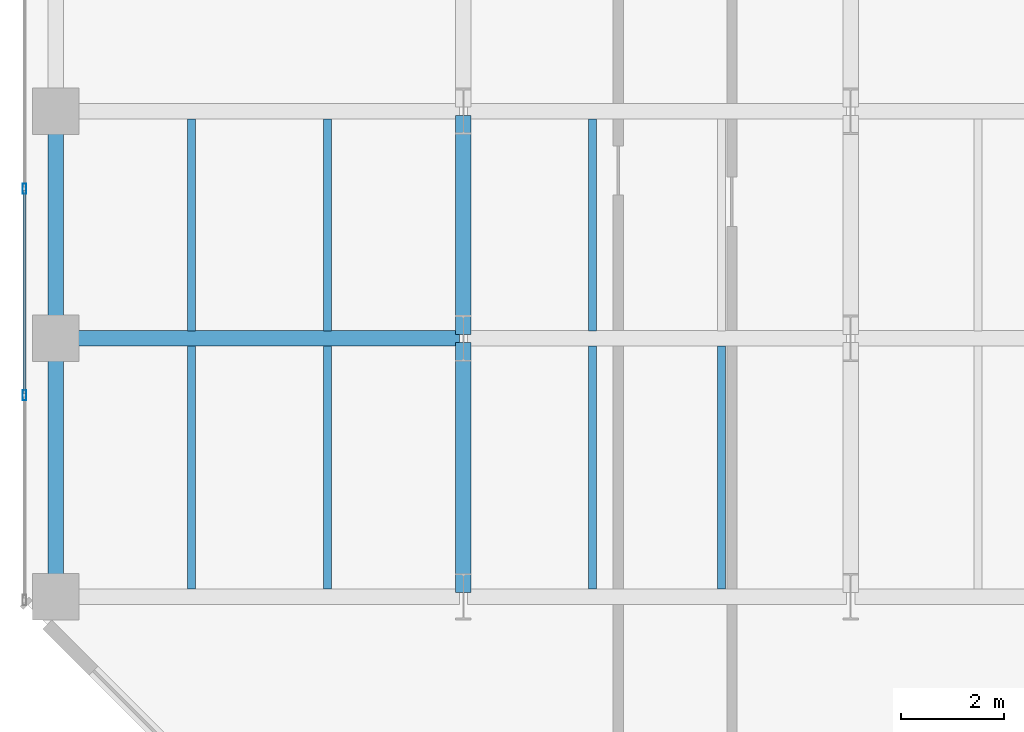
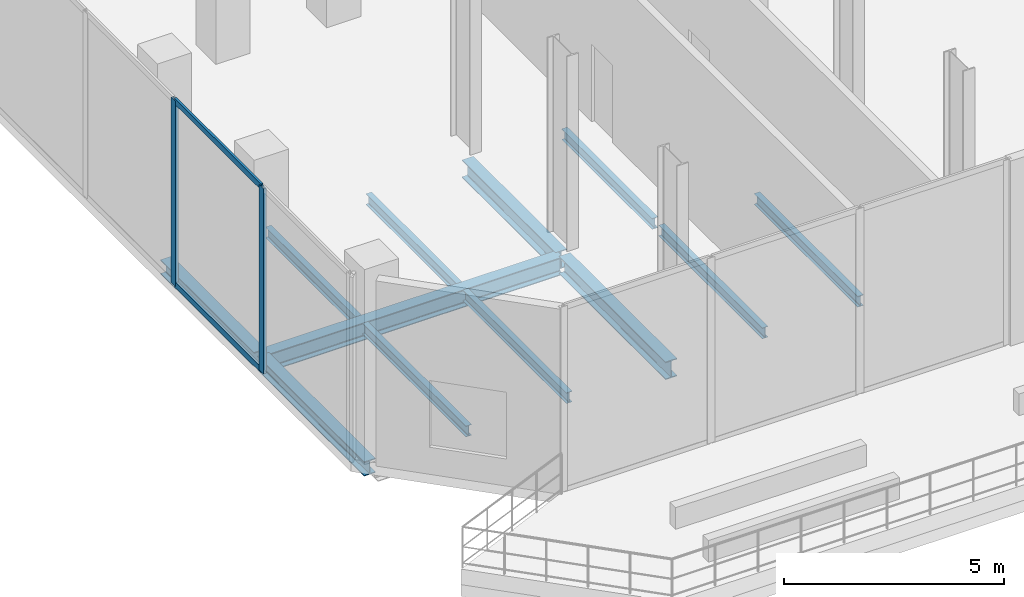
# One storey, part 3 of 24: 12 beams, 4 members, 1 element without a shape of its own.
"""IFC4 building model written with IfcOpenShell, lengths in metres."""

from ifc_helpers import new_model, si_unit, direction, frame, origin, origin_2d, place, context, subcontext, project, spatial, hollow_rectangle, i_section, extrude, material, layer, layer_set, material_profile, profile_set, type_object, element, aggregate, save


model = new_model("IFC4")

# Units and contexts
model_context = context("Model", 3, precision=1e-05, world=origin(), true_north=direction((0.0, 1.0)))
body_context = subcontext(model_context, "Body", "Model", "MODEL_VIEW")
ifc_project = project(units=[si_unit("LENGTHUNIT", "METRE"), si_unit("AREAUNIT", "SQUARE_METRE"), si_unit("VOLUMEUNIT", "CUBIC_METRE"), si_unit("PLANEANGLEUNIT", "RADIAN"), si_unit("MASSUNIT", "GRAM", prefix="KILO")], contexts=[model_context])

# Site, building, storey
site_placement = place(None, origin())
site = spatial("IfcSite", under=ifc_project, at=site_placement, CompositionType="ELEMENT")
building_placement = place(site_placement, origin())
building = spatial("IfcBuilding", under=site, at=building_placement, Name="Catumbela Crestline Tower", CompositionType="ELEMENT")
storey_placement = place(building_placement, frame((0.0, 0.0, 84.6)))
storey = spatial("IfcBuildingStorey", under=building, at=storey_placement, Name="L21", CompositionType="ELEMENT", Elevation=84.6)

# Beams
ifc_material_1 = material(Name="Structural steel S355J2", Category="steel")
ifc_material_profile_1 = material_profile(ifc_material_1, i_section(OverallWidth=0.3, OverallDepth=0.49, WebThickness=0.012, FlangeThickness=0.023, FilletRadius=0.027, at=origin_2d()), Name="HEA 500")
ifc_profile_set_1 = profile_set([ifc_material_profile_1], Name="Structural steel S355J2")
beam_type_1 = type_object("IfcBeamType", Name="BG-HEA500", PredefinedType="BEAM", material=ifc_profile_set_1)
beam_1_placement = place(storey_placement, frame((0.68, 13.6, -0.595), z_axis=(1.0, 0.0, 0.0), x_axis=(0.0, 1.0, 0.0)))
element("IfcBeam", 1, at=beam_1_placement, inside=storey, type_object=beam_type_1, Name="L21 Beam BM-L21-WEW46", PredefinedType="BEAM", context=body_context, shape_type="SweptSolid", body=[
    extrude(i_section(OverallWidth=0.3, OverallDepth=0.49, WebThickness=0.012, FlangeThickness=0.023, FilletRadius=0.027, at=origin_2d()), origin(), (0.0, 0.0, 1.0), 7.74),
])
beam_2_placement = place(storey_placement, frame((8.5, 8.68, -0.595), z_axis=(0.0, 1.0, 0.0), x_axis=(-1.0, 0.0, 0.0)))
element("IfcBeam", 2, at=beam_2_placement, inside=storey, type_object=beam_type_1, Name="L21 Beam BM-L21-WNS55", PredefinedType="BEAM", context=body_context, shape_type="SweptSolid", body=[
    extrude(i_section(OverallWidth=0.3, OverallDepth=0.49, WebThickness=0.012, FlangeThickness=0.023, FilletRadius=0.027, at=origin_2d()), origin(), (0.0, 0.0, 1.0), 4.84),
])
beam_3_placement = place(storey_placement, frame((8.5, 13.68, -0.595), z_axis=(0.0, 1.0, 0.0), x_axis=(-1.0, 0.0, 0.0)))
element("IfcBeam", 3, at=beam_3_placement, inside=storey, type_object=beam_type_1, Name="L21 Beam BM-L21-WNS56", PredefinedType="BEAM", context=body_context, shape_type="SweptSolid", body=[
    extrude(i_section(OverallWidth=0.3, OverallDepth=0.49, WebThickness=0.012, FlangeThickness=0.023, FilletRadius=0.027, at=origin_2d()), origin(), (0.0, 0.0, 1.0), 4.24),
])
ifc_material_profile_2 = material_profile(ifc_material_1, i_section(OverallWidth=0.15, OverallDepth=0.3, WebThickness=0.0071, FlangeThickness=0.0107, FilletRadius=0.015, at=origin_2d()), Name="IPE 300")
ifc_profile_set_2 = profile_set([ifc_material_profile_2], Name="Structural steel S355J2")
beam_type_2 = type_object("IfcBeamType", Name="BJ-IPE300", PredefinedType="JOIST", material=ifc_profile_set_2)
for number, where, z_axis, x_axis, name in (
    (4, (3.233, 8.747, -0.5), (0.0, 1.0, 0.0), (-1.0, 0.0, 0.0), "L21 Joist JS-L21-WG63"),
    (5, (5.867, 8.747, -0.5), (0.0, 1.0, 0.0), (-1.0, 0.0, 0.0), "L21 Joist JS-L21-WG64"),
    (6, (11.0, 8.747, -0.5), (0.0, 1.0, 0.0), (-1.0, 0.0, 0.0), "L21 Joist JS-L21-WG65"),
    (7, (13.5, 8.747, -0.5), (0.0, 1.0, 0.0), (-1.0, 0.0, 0.0), "L21 Joist JS-L21-WG66"),
):
    element("IfcBeam", number, at=place(storey_placement, frame(where, z_axis=z_axis, x_axis=x_axis)), inside=storey, type_object=beam_type_2, Name=name, PredefinedType="JOIST", context=body_context, shape_type="SweptSolid", body=[
        extrude(i_section(OverallWidth=0.15, OverallDepth=0.3, WebThickness=0.0071, FlangeThickness=0.0107, FilletRadius=0.015, at=origin_2d()), origin(), (0.0, 0.0, 1.0), 4.706),
    ])
for number, where, z_axis, x_axis, name in (
    (8, (3.233, 13.747, -0.5), (0.0, 1.0, 0.0), (-1.0, 0.0, 0.0), "L21 Joist JS-L21-WG69"),
    (9, (5.867, 13.747, -0.5), (0.0, 1.0, 0.0), (-1.0, 0.0, 0.0), "L21 Joist JS-L21-WG70"),
    (10, (11.0, 13.747, -0.5), (0.0, 1.0, 0.0), (-1.0, 0.0, 0.0), "L21 Joist JS-L21-WG71"),
):
    element("IfcBeam", number, at=place(storey_placement, frame(where, z_axis=z_axis, x_axis=x_axis)), inside=storey, type_object=beam_type_2, Name=name, PredefinedType="JOIST", context=body_context, shape_type="SweptSolid", body=[
        extrude(i_section(OverallWidth=0.15, OverallDepth=0.3, WebThickness=0.0071, FlangeThickness=0.0107, FilletRadius=0.015, at=origin_2d()), origin(), (0.0, 0.0, 1.0), 4.106),
    ])

# Curtain wall, members
ifc_material_2 = material(Name="Aluminium alloy AW-6060-T66", Category="aluminium")
ifc_layer = layer(ifc_material_2, 0.18, Name="Aluminium alloy AW-6060-T66")
ifc_layer_set = layer_set([ifc_layer], Name="Aluminium alloy AW-6060-T66")
curtain_wall_type = type_object("IfcCurtainWallType", Name="CWU-SKY", PredefinedType="USERDEFINED", material=ifc_layer_set)
curtain_wall_placement = place(storey_placement, origin())
curtain_wall = element("IfcCurtainWall", 11, at=curtain_wall_placement, inside=storey, type_object=curtain_wall_type, Name="L21 Unitised Curtain Wall CW-L21-E9S1", ObjectType="UNITISED", PredefinedType="USERDEFINED")
ifc_material_profile_3 = material_profile(ifc_material_2, hollow_rectangle(XDim=0.075, YDim=0.2, WallThickness=0.005, at=origin_2d()), Name="ALU 200x75x5")
ifc_profile_set_3 = profile_set([ifc_material_profile_3], Name="Aluminium alloy AW-6060-T66")
member_type_1 = type_object("IfcMemberType", Name="MUL-200X75", PredefinedType="MULLION", material=ifc_profile_set_3)
member_1_placement = place(storey_placement, frame((0.0, 16.5, 0.0), z_axis=(0.0, 0.0, 1.0), x_axis=(1.0, 0.0, 0.0)))
member_1 = element("IfcMember", 12, at=member_1_placement, type_object=member_type_1, Name="CWU-SKY mullion 8", PredefinedType="MULLION", context=body_context, shape_type="SweptSolid", body=[
    extrude(hollow_rectangle(XDim=0.075, YDim=0.2, WallThickness=0.005, at=origin_2d()), origin(), (0.0, 0.0, 1.0), 5.13),
])
member_2_placement = place(storey_placement, frame((0.0, 12.5, 0.0), z_axis=(0.0, 0.0, 1.0), x_axis=(1.0, 0.0, 0.0)))
member_2 = element("IfcMember", 13, at=member_2_placement, type_object=member_type_1, Name="CWU-SKY mullion 9", PredefinedType="MULLION", context=body_context, shape_type="SweptSolid", body=[
    extrude(hollow_rectangle(XDim=0.075, YDim=0.2, WallThickness=0.005, at=origin_2d()), origin(), (0.0, 0.0, 1.0), 5.13),
])

# Beams
ifc_material_profile_4 = material_profile(ifc_material_1, i_section(OverallWidth=0.3, OverallDepth=0.4, WebThickness=0.0135, FlangeThickness=0.024, FilletRadius=0.027, at=origin_2d()), Name="HEB 400")
ifc_profile_set_4 = profile_set([ifc_material_profile_4], Name="Structural steel S355J2")
beam_type_3 = type_object("IfcBeamType", Name="BS-HEB400", PredefinedType="SPANDREL", material=ifc_profile_set_4)
beam_4_placement = place(storey_placement, frame((0.6, 8.68, -0.55), z_axis=(0.0, 1.0, 0.0), x_axis=(-1.0, 0.0, 0.0)))
element("IfcBeam", 14, at=beam_4_placement, inside=storey, type_object=beam_type_3, Name="L21 Spandrel SP-L21-WNS52", PredefinedType="SPANDREL", context=body_context, shape_type="SweptSolid", body=[
    extrude(i_section(OverallWidth=0.3, OverallDepth=0.4, WebThickness=0.0135, FlangeThickness=0.024, FilletRadius=0.027, at=origin_2d()), origin(), (0.0, 0.0, 1.0), 4.84),
])
beam_5_placement = place(storey_placement, frame((0.6, 13.68, -0.55), z_axis=(0.0, 1.0, 0.0), x_axis=(-1.0, 0.0, 0.0)))
element("IfcBeam", 15, at=beam_5_placement, inside=storey, type_object=beam_type_3, Name="L21 Spandrel SP-L21-WNS53", PredefinedType="SPANDREL", context=body_context, shape_type="SweptSolid", body=[
    extrude(i_section(OverallWidth=0.3, OverallDepth=0.4, WebThickness=0.0135, FlangeThickness=0.024, FilletRadius=0.027, at=origin_2d()), origin(), (0.0, 0.0, 1.0), 4.24),
])

# Member
ifc_material_profile_5 = material_profile(ifc_material_2, hollow_rectangle(XDim=0.06, YDim=0.16, WallThickness=0.004, at=origin_2d()), Name="ALU 160x60x4")
ifc_profile_set_5 = profile_set([ifc_material_profile_5], Name="Aluminium alloy AW-6060-T66")
member_type_2 = type_object("IfcMemberType", Name="TRN-160X60", PredefinedType="USERDEFINED", material=ifc_profile_set_5)
member_3_placement = place(storey_placement, frame((0.0, 16.4675, 0.03), z_axis=(0.0, -1.0, 0.0), x_axis=(1.0, 0.0, 0.0)))
member_3 = element("IfcMember", 16, at=member_3_placement, type_object=member_type_2, Name="CWU-SKY transom 8.1", ObjectType="TRANSOM", PredefinedType="USERDEFINED", context=body_context, shape_type="SweptSolid", body=[
    extrude(hollow_rectangle(XDim=0.06, YDim=0.16, WallThickness=0.004, at=origin_2d()), origin(), (0.0, 0.0, 1.0), 3.935),
])

member_4_placement = place(storey_placement, frame((0.0, 16.4675, 5.1), z_axis=(0.0, -1.0, 0.0), x_axis=(1.0, 0.0, 0.0)))
member_4 = element("IfcMember", 17, at=member_4_placement, type_object=member_type_2, Name="CWU-SKY transom 8.2", ObjectType="TRANSOM", PredefinedType="USERDEFINED", context=body_context, shape_type="SweptSolid", body=[
    extrude(hollow_rectangle(XDim=0.06, YDim=0.16, WallThickness=0.004, at=origin_2d()), origin(), (0.0, 0.0, 1.0), 3.935),
])

aggregate(curtain_wall, [member_1, member_2, member_3, member_4])

save(model, "model.ifc")
